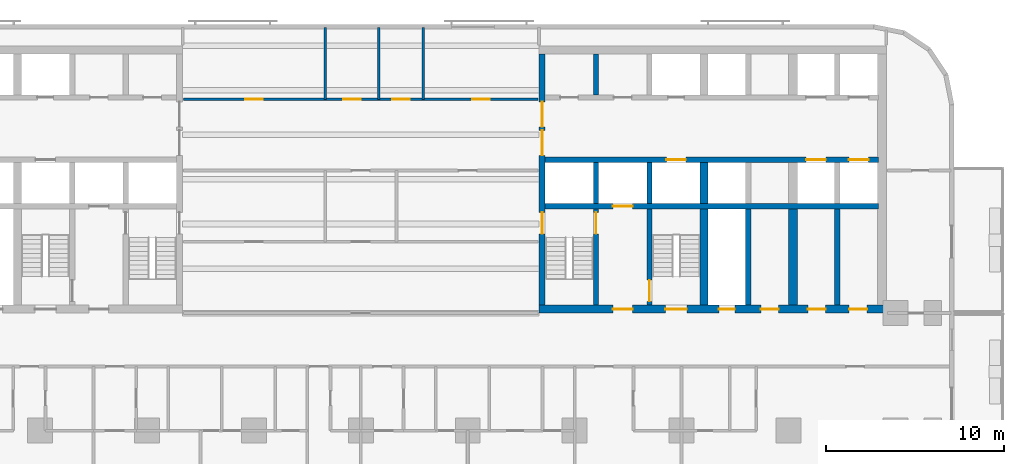
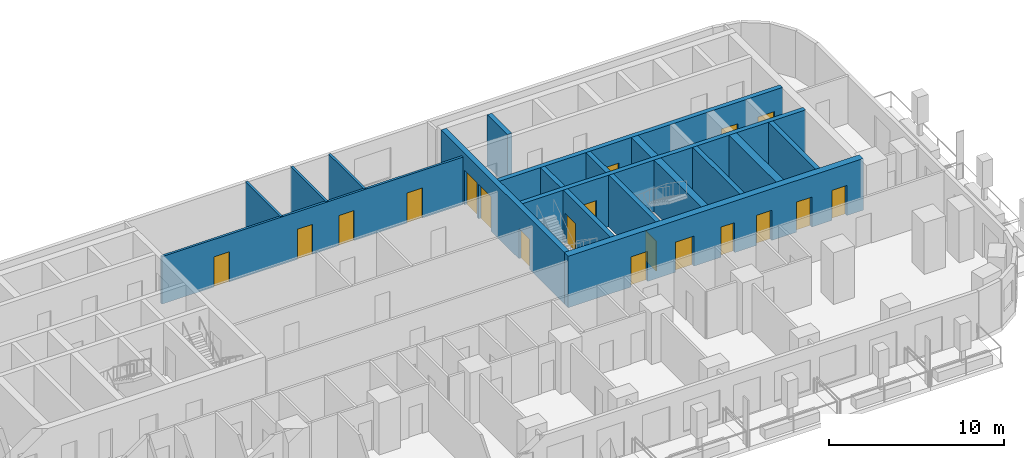
# One storey, part 7 of 14: 19 doors, 18 walls, 19 openings.
"""IFC4 building model written with IfcOpenShell, lengths in metres."""

from ifc_helpers import new_model, si_unit, direction, frame, frame_2d, origin, place, context, subcontext, project, spatial, rectangle, extrude, material, layer, layer_set, type_object, element, fill, save


model = new_model("IFC4")

# Units and contexts
model_context = context("Model", 3, precision=1e-05, world=origin(), true_north=direction((0.0, 1.0)))
body_context = subcontext(model_context, "Body", "Model", "MODEL_VIEW")
ifc_project = project(units=[si_unit("LENGTHUNIT", "METRE"), si_unit("AREAUNIT", "SQUARE_METRE"), si_unit("VOLUMEUNIT", "CUBIC_METRE"), si_unit("PLANEANGLEUNIT", "RADIAN"), si_unit("MASSUNIT", "GRAM", prefix="KILO")], contexts=[model_context])

# Site, building, storey
site_placement = place(None, origin())
site = spatial("IfcSite", under=ifc_project, at=site_placement, CompositionType="ELEMENT")
building_placement = place(site_placement, origin())
building = spatial("IfcBuilding", under=site, at=building_placement, Name="Torana Hotel and Residences", CompositionType="ELEMENT")
storey_placement = place(building_placement, frame((0.0, 0.0, 103.199951171875)))
storey = spatial("IfcBuildingStorey", under=building, at=storey_placement, Name="L26", CompositionType="ELEMENT", Elevation=103.199951171875)

# Wall, openings, doors
ifc_material_1 = material(Name="Concrete C80/95", Category="concrete")
ifc_layer_1 = layer(ifc_material_1, 0.300048828125)
ifc_layer_set_1 = layer_set([ifc_layer_1], Name="CORE WALL 300 C80/95")
wall_type_1 = type_object("IfcWallType", Name="CORE WALL 300 C80/95", PredefinedType="SHEAR", material=ifc_layer_set_1)
wall_1_placement = place(storey_placement, frame((10.35009765625, -6.39990234375, 0.0), z_axis=(0.0, 0.0, 1.0), x_axis=(1.0, 0.0, 0.0)))
wall_1 = element("IfcWall", 1, at=wall_1_placement, inside=storey, type_object=wall_type_1, Name="Core wall E row-S", PredefinedType="SHEAR", context=body_context, shape_type="SweptSolid", body=[
    extrude(rectangle(XDim=18.699951171875, YDim=0.300048828125, at=frame_2d((9.35009765625, 0.0))), origin(), (0.0, 0.0, 1.0), 3.60009765625),
])
opening_1_placement = place(wall_1_placement, frame((14.64990234375, 0.0, 0.0)))
opening_1 = element("IfcOpeningElement", 2, at=opening_1_placement, cuts=wall_1, Name="Opening LD", PredefinedType="OPENING", context=body_context, shape_type="SweptSolid", body=[
    extrude(rectangle(XDim=1.10009765625, YDim=2.10009765625, at=frame_2d((0.550048828125, 1.050048828125))), frame((0.0, 0.159912109375, 0.0), z_axis=(0.0, -1.0, 0.0), x_axis=(1.0, 0.0, 0.0)), (0.0, 0.0, 1.0), 0.320068359375),
])
opening_2_placement = place(wall_1_placement, frame((17.050048828125, 0.0, 0.0)))
opening_2 = element("IfcOpeningElement", 3, at=opening_2_placement, cuts=wall_1, Name="Opening LD", PredefinedType="OPENING", context=body_context, shape_type="SweptSolid", body=[
    extrude(rectangle(XDim=1.10009765625, YDim=2.10009765625, at=frame_2d((0.550048828125, 1.050048828125))), frame((0.0, 0.159912109375, 0.0), z_axis=(0.0, -1.0, 0.0), x_axis=(1.0, 0.0, 0.0)), (0.0, 0.0, 1.0), 0.320068359375),
])
opening_3_placement = place(wall_1_placement, frame((6.800048828125, 0.0, 0.0)))
opening_3 = element("IfcOpeningElement", 4, at=opening_3_placement, cuts=wall_1, Name="Opening LD", PredefinedType="OPENING", context=body_context, shape_type="SweptSolid", body=[
    extrude(rectangle(XDim=1.10009765625, YDim=2.10009765625, at=frame_2d((0.550048828125, 1.050048828125))), frame((0.0, 0.159912109375, 0.0), z_axis=(0.0, -1.0, 0.0), x_axis=(1.0, 0.0, 0.0)), (0.0, 0.0, 1.0), 0.320068359375),
])
ifc_material_2 = material(Name="Stainless steel 316", Category="steel")
door_type_1 = type_object("IfcDoorType", Name="LIFT LANDING DOOR LD 1100x2100", OperationType="DOUBLE_DOOR_SLIDING", PredefinedType="USERDEFINED", material=ifc_material_2)
door_1_placement = place(opening_1_placement, origin())
door_1 = element("IfcDoor", 5, at=door_1_placement, inside=storey, type_object=door_type_1, Name="Lift landing door L7 L26", ObjectType="LIFT LANDING DOOR", OperationType="DOUBLE_DOOR_SLIDING", OverallHeight=2.10009765625, OverallWidth=1.10009765625, PredefinedType="USERDEFINED", context=body_context, shape_type="SweptSolid", body=[
    extrude(rectangle(XDim=1.10009765625, YDim=2.10009765625, at=frame_2d((0.550048828125, 1.050048828125))), frame((0.0, 0.02490234375, 0.0), z_axis=(0.0, -1.0, 0.0), x_axis=(1.0, 0.0, 0.0)), (0.0, 0.0, 1.0), 0.050048828125),
])
fill(opening_1, door_1)
door_2_placement = place(opening_2_placement, origin())
door_2 = element("IfcDoor", 6, at=door_2_placement, inside=storey, type_object=door_type_1, Name="Lift landing door L8 L26", ObjectType="LIFT LANDING DOOR", OperationType="DOUBLE_DOOR_SLIDING", OverallHeight=2.10009765625, OverallWidth=1.10009765625, PredefinedType="USERDEFINED", context=body_context, shape_type="SweptSolid", body=[
    extrude(rectangle(XDim=1.10009765625, YDim=2.10009765625, at=frame_2d((0.550048828125, 1.050048828125))), frame((0.0, 0.02490234375, 0.0), z_axis=(0.0, -1.0, 0.0), x_axis=(1.0, 0.0, 0.0)), (0.0, 0.0, 1.0), 0.050048828125),
])
fill(opening_2, door_2)
door_3_placement = place(opening_3_placement, origin())
door_3 = element("IfcDoor", 7, at=door_3_placement, inside=storey, type_object=door_type_1, Name="Lift landing door SV2 L26", ObjectType="LIFT LANDING DOOR", OperationType="DOUBLE_DOOR_SLIDING", OverallHeight=2.10009765625, OverallWidth=1.10009765625, PredefinedType="USERDEFINED", context=body_context, shape_type="SweptSolid", body=[
    extrude(rectangle(XDim=1.10009765625, YDim=2.10009765625, at=frame_2d((0.550048828125, 1.050048828125))), frame((0.0, 0.02490234375, 0.0), z_axis=(0.0, -1.0, 0.0), x_axis=(1.0, 0.0, 0.0)), (0.0, 0.0, 1.0), 0.050048828125),
])
fill(opening_3, door_3)

# Wall, opening, door
wall_2_placement = place(storey_placement, frame((10.35009765625, -9.0, 0.0), z_axis=(0.0, 0.0, 1.0), x_axis=(1.0, 0.0, 0.0)))
wall_2 = element("IfcWall", 8, at=wall_2_placement, inside=storey, type_object=wall_type_1, Name="Core wall E band", PredefinedType="SHEAR", context=body_context, shape_type="SweptSolid", body=[
    extrude(rectangle(XDim=18.699951171875, YDim=0.300048828125, at=frame_2d((9.35009765625, 0.0))), origin(), (0.0, 0.0, 1.0), 3.60009765625),
])
opening_4_placement = place(wall_2_placement, frame((3.800048828125, 0.0, 0.0)))
opening_4 = element("IfcOpeningElement", 9, at=opening_4_placement, cuts=wall_2, Name="Opening LD", PredefinedType="OPENING", context=body_context, shape_type="SweptSolid", body=[
    extrude(rectangle(XDim=1.10009765625, YDim=2.10009765625, at=frame_2d((0.550048828125, 1.050048828125))), frame((0.0, 0.159912109375, 0.0), z_axis=(0.0, -1.0, 0.0), x_axis=(1.0, 0.0, 0.0)), (0.0, 0.0, 1.0), 0.320068359375),
])
door_4_placement = place(opening_4_placement, origin())
door_4 = element("IfcDoor", 10, at=door_4_placement, inside=storey, type_object=door_type_1, Name="Lift landing door FF2 L26", ObjectType="LIFT LANDING DOOR", OperationType="DOUBLE_DOOR_SLIDING", OverallHeight=2.10009765625, OverallWidth=1.10009765625, PredefinedType="USERDEFINED", context=body_context, shape_type="SweptSolid", body=[
    extrude(rectangle(XDim=1.10009765625, YDim=2.10009765625, at=frame_2d((0.550048828125, 1.050048828125))), frame((0.0, 0.02490234375, 0.0), z_axis=(0.0, -1.0, 0.0), x_axis=(1.0, 0.0, 0.0)), (0.0, 0.0, 1.0), 0.050048828125),
])
fill(opening_4, door_4)

# Walls
for number, where, z_axis, x_axis, name in (
    (11, (13.199951171875, -2.75, 0.0), (0.0, 0.0, 1.0), (0.0, 1.0, 0.0), "Core wall E x3.05-N"),
    (12, (13.199951171875, -8.85009765625, 0.0), (0.0, 0.0, 1.0), (0.0, 1.0, 0.0), "Core wall E x3.05-S"),
):
    element("IfcWall", number, at=place(storey_placement, frame(where, z_axis=z_axis, x_axis=x_axis)), inside=storey, type_object=wall_type_1, Name=name, PredefinedType="SHEAR", context=body_context, shape_type="SweptSolid", body=[
        extrude(rectangle(XDim=2.300048828125, YDim=0.300048828125, at=frame_2d((1.14990234375, 0.0))), origin(), (0.0, 0.0, 1.0), 3.60009765625),
    ])

# Wall, opening, door
wall_3_placement = place(storey_placement, frame((13.199951171875, -14.550048828125, 0.0), z_axis=(0.0, 0.0, 1.0), x_axis=(0.0, 1.0, 0.0)))
wall_3 = element("IfcWall", 13, at=wall_3_placement, inside=storey, type_object=wall_type_1, Name="Core wall E x3.05-band", PredefinedType="SHEAR", context=body_context, shape_type="SweptSolid", body=[
    extrude(rectangle(XDim=5.400146484375, YDim=0.300048828125, at=frame_2d((2.7001953125, 0.0))), origin(), (0.0, 0.0, 1.0), 3.60009765625),
])
opening_5_placement = place(wall_3_placement, frame((4.0, 0.0, 0.0)))
opening_5 = element("IfcOpeningElement", 14, at=opening_5_placement, cuts=wall_3, Name="Opening L26-27", PredefinedType="OPENING", context=body_context, shape_type="SweptSolid", body=[
    extrude(rectangle(XDim=1.199951171875, YDim=2.10009765625, at=frame_2d((0.60009765625, 1.050048828125))), frame((0.0, 0.159912109375, 0.0), z_axis=(0.0, -1.0, 0.0), x_axis=(1.0, 0.0, 0.0)), (0.0, 0.0, 1.0), 0.320068359375),
])
ifc_material_3 = material(Name="Steel S235", Category="steel")
door_type_2 = type_object("IfcDoorType", Name="STAIR FIRE DOOR D3 1200x2100", OperationType="SINGLE_SWING_LEFT", PredefinedType="DOOR", material=ifc_material_3)
door_5_placement = place(opening_5_placement, origin())
door_5 = element("IfcDoor", 15, at=door_5_placement, inside=storey, type_object=door_type_2, Name="Stair-A-lobby door L26", OperationType="SINGLE_SWING_LEFT", OverallHeight=2.10009765625, OverallWidth=1.199951171875, PredefinedType="DOOR", context=body_context, shape_type="SweptSolid", body=[
    extrude(rectangle(XDim=1.199951171875, YDim=2.10009765625, at=frame_2d((0.60009765625, 1.050048828125))), frame((0.0, 0.02490234375, 0.0), z_axis=(0.0, -1.0, 0.0), x_axis=(1.0, 0.0, 0.0)), (0.0, 0.0, 1.0), 0.050048828125),
])
fill(opening_5, door_5)

# Wall
wall_4_placement = place(storey_placement, frame((16.199951171875, -8.85009765625, 0.0), z_axis=(0.0, 0.0, 1.0), x_axis=(0.0, 1.0, 0.0)))
element("IfcWall", 16, at=wall_4_placement, inside=storey, type_object=wall_type_1, Name="Core wall E x6.05-S", PredefinedType="SHEAR", context=body_context, shape_type="SweptSolid", body=[
    extrude(rectangle(XDim=2.300048828125, YDim=0.300048828125, at=frame_2d((1.14990234375, 0.0))), origin(), (0.0, 0.0, 1.0), 3.60009765625),
])

# Wall, opening, door
wall_5_placement = place(storey_placement, frame((16.199951171875, -14.550048828125, 0.0), z_axis=(0.0, 0.0, 1.0), x_axis=(0.0, 1.0, 0.0)))
wall_5 = element("IfcWall", 17, at=wall_5_placement, inside=storey, type_object=wall_type_1, Name="Core wall E x6.05-band", PredefinedType="SHEAR", context=body_context, shape_type="SweptSolid", body=[
    extrude(rectangle(XDim=5.400146484375, YDim=0.300048828125, at=frame_2d((2.7001953125, 0.0))), origin(), (0.0, 0.0, 1.0), 3.60009765625),
])
opening_6_placement = place(wall_5_placement, frame((0.199951171875, 0.0, 0.0)))
opening_6 = element("IfcOpeningElement", 18, at=opening_6_placement, cuts=wall_5, Name="Opening L26-28", PredefinedType="OPENING", context=body_context, shape_type="SweptSolid", body=[
    extrude(rectangle(XDim=1.199951171875, YDim=2.10009765625, at=frame_2d((0.60009765625, 1.050048828125))), frame((0.0, 0.159912109375, 0.0), z_axis=(0.0, -1.0, 0.0), x_axis=(1.0, 0.0, 0.0)), (0.0, 0.0, 1.0), 0.320068359375),
])
door_6_placement = place(opening_6_placement, frame((0.60009765625, 0.0, 0.0), z_axis=(0.0, 0.0, 1.0), x_axis=(-1.0, 0.0, 0.0)))
door_6 = element("IfcDoor", 19, at=door_6_placement, inside=storey, type_object=door_type_2, Name="Stair-B-lobby door L26", OperationType="SINGLE_SWING_LEFT", OverallHeight=2.10009765625, OverallWidth=1.199951171875, PredefinedType="DOOR", context=body_context, shape_type="SweptSolid", body=[
    extrude(rectangle(XDim=1.199951171875, YDim=2.10009765625, at=frame_2d((0.0, 1.050048828125))), frame((0.0, -0.02490234375, 0.0), z_axis=(0.0, 1.0, 0.0), x_axis=(-1.0, 0.0, 0.0)), (0.0, 0.0, 1.0), 0.050048828125),
])
fill(opening_6, door_6)

# Walls
for number, where, z_axis, x_axis, name in (
    (20, (21.75, -14.550048828125, 0.0), (0.0, 0.0, 1.0), (0.0, 1.0, 0.0), "Core wall E mm-band"),
    (21, (26.75, -14.550048828125, 0.0), (0.0, 0.0, 1.0), (0.0, 1.0, 0.0), "Core wall E ll-band"),
):
    element("IfcWall", number, at=place(storey_placement, frame(where, z_axis=z_axis, x_axis=x_axis)), inside=storey, type_object=wall_type_1, Name=name, PredefinedType="SHEAR", context=body_context, shape_type="SweptSolid", body=[
        extrude(rectangle(XDim=5.400146484375, YDim=0.300048828125, at=frame_2d((2.7001953125, 0.0))), origin(), (0.0, 0.0, 1.0), 3.60009765625),
    ])

# Wall, openings, doors
ifc_material_4 = material(Name="Concrete C80/95", Category="concrete")
ifc_layer_2 = layer(ifc_material_4, 0.35009765625)
ifc_layer_set_2 = layer_set([ifc_layer_2], Name="CORE WALL 350 C80/95")
wall_type_2 = type_object("IfcWallType", Name="CORE WALL 350 C80/95", PredefinedType="SHEAR", material=ifc_layer_set_2)
wall_6_placement = place(storey_placement, frame((10.175048828125, -14.550048828125, 0.0), z_axis=(0.0, 0.0, 1.0), x_axis=(0.0, 1.0, 0.0)))
wall_6 = element("IfcWall", 22, at=wall_6_placement, inside=storey, type_object=wall_type_2, Name="Core wall E arch", PredefinedType="SHEAR", context=body_context, shape_type="SweptSolid", body=[
    extrude(rectangle(XDim=14.10009765625, YDim=0.35009765625, at=frame_2d((7.050048828125, 0.0))), origin(), (0.0, 0.0, 1.0), 3.60009765625),
])
opening_7_placement = place(wall_6_placement, frame((8.39990234375, 0.0, 0.0)))
opening_7 = element("IfcOpeningElement", 23, at=opening_7_placement, cuts=wall_6, Name="Opening L26-15", PredefinedType="OPENING", context=body_context, shape_type="SweptSolid", body=[
    extrude(rectangle(XDim=1.39990234375, YDim=2.39990234375, at=frame_2d((0.699951171875, 1.199951171875))), frame((0.0, 0.18505859375, 0.0), z_axis=(0.0, -1.0, 0.0), x_axis=(1.0, 0.0, 0.0)), (0.0, 0.0, 1.0), 0.3701171875),
])
opening_8_placement = place(wall_6_placement, frame((10.0, 0.0, 0.0)))
opening_8 = element("IfcOpeningElement", 24, at=opening_8_placement, cuts=wall_6, Name="Opening L26-16", PredefinedType="OPENING", context=body_context, shape_type="SweptSolid", body=[
    extrude(rectangle(XDim=1.39990234375, YDim=2.39990234375, at=frame_2d((0.699951171875, 1.199951171875))), frame((0.0, 0.18505859375, 0.0), z_axis=(0.0, -1.0, 0.0), x_axis=(1.0, 0.0, 0.0)), (0.0, 0.0, 1.0), 0.3701171875),
])
opening_9_placement = place(wall_6_placement, frame((4.0, 0.0, 0.0)))
opening_9 = element("IfcOpeningElement", 25, at=opening_9_placement, cuts=wall_6, Name="Opening L26-17", PredefinedType="OPENING", context=body_context, shape_type="SweptSolid", body=[
    extrude(rectangle(XDim=1.199951171875, YDim=2.10009765625, at=frame_2d((0.60009765625, 1.050048828125))), frame((0.0, 0.18505859375, 0.0), z_axis=(0.0, -1.0, 0.0), x_axis=(1.0, 0.0, 0.0)), (0.0, 0.0, 1.0), 0.3701171875),
])
ifc_material_5 = material(Name="Steel S235", Category="steel")
door_type_3 = type_object("IfcDoorType", Name="LOBBY FIRE DOOR D4 1400x2400", OperationType="DOUBLE_DOOR_SINGLE_SWING", PredefinedType="DOOR", material=ifc_material_5)
door_7_placement = place(opening_7_placement, origin())
door_7 = element("IfcDoor", 26, at=door_7_placement, inside=storey, type_object=door_type_3, Name="Lobby-1 door L26", OperationType="DOUBLE_DOOR_SINGLE_SWING", OverallHeight=2.39990234375, OverallWidth=1.39990234375, PredefinedType="DOOR", context=body_context, shape_type="SweptSolid", body=[
    extrude(rectangle(XDim=1.39990234375, YDim=2.39990234375, at=frame_2d((0.699951171875, 1.199951171875))), frame((0.0, 0.02490234375, 0.0), z_axis=(0.0, -1.0, 0.0), x_axis=(1.0, 0.0, 0.0)), (0.0, 0.0, 1.0), 0.050048828125),
])
fill(opening_7, door_7)
door_8_placement = place(opening_8_placement, origin())
door_8 = element("IfcDoor", 27, at=door_8_placement, inside=storey, type_object=door_type_3, Name="Lobby-2 door L26", OperationType="DOUBLE_DOOR_SINGLE_SWING", OverallHeight=2.39990234375, OverallWidth=1.39990234375, PredefinedType="DOOR", context=body_context, shape_type="SweptSolid", body=[
    extrude(rectangle(XDim=1.39990234375, YDim=2.39990234375, at=frame_2d((0.699951171875, 1.199951171875))), frame((0.0, 0.02490234375, 0.0), z_axis=(0.0, -1.0, 0.0), x_axis=(1.0, 0.0, 0.0)), (0.0, 0.0, 1.0), 0.050048828125),
])
fill(opening_8, door_8)
door_9_placement = place(opening_9_placement, frame((0.60009765625, 0.0, 0.0), z_axis=(0.0, 0.0, 1.0), x_axis=(-1.0, 0.0, 0.0)))
door_9 = element("IfcDoor", 28, at=door_9_placement, inside=storey, type_object=door_type_2, Name="Stair-A door L26", OperationType="SINGLE_SWING_RIGHT", OverallHeight=2.10009765625, OverallWidth=1.199951171875, PredefinedType="DOOR", context=body_context, shape_type="SweptSolid", body=[
    extrude(rectangle(XDim=1.199951171875, YDim=2.10009765625, at=frame_2d((0.0, 1.050048828125))), frame((0.0, -0.02490234375, 0.0), z_axis=(0.0, 1.0, 0.0), x_axis=(-1.0, 0.0, 0.0)), (0.0, 0.0, 1.0), 0.050048828125),
])
fill(opening_9, door_9)

ifc_material_6 = material(Name="Concrete C80/95", Category="concrete")
ifc_layer_3 = layer(ifc_material_6, 0.449951171875)
ifc_layer_set_3 = layer_set([ifc_layer_3], Name="CORE WALL 450 C80/95")
wall_type_3 = type_object("IfcWallType", Name="CORE WALL 450 C80/95", PredefinedType="SHEAR", material=ifc_layer_set_3)
wall_7_placement = place(storey_placement, frame((10.0, -14.77490234375, 0.0), z_axis=(0.0, 0.0, 1.0), x_axis=(1.0, 0.0, 0.0)))
wall_7 = element("IfcWall", 29, at=wall_7_placement, inside=storey, type_object=wall_type_3, Name="Core wall E front", PredefinedType="SHEAR", context=body_context, shape_type="SweptSolid", body=[
    extrude(rectangle(XDim=19.5, YDim=0.449951171875, at=frame_2d((9.75, 0.0))), origin(), (0.0, 0.0, 1.0), 3.60009765625),
])
opening_10_placement = place(wall_7_placement, frame((7.10009765625, 0.0, 0.0)))
opening_10 = element("IfcOpeningElement", 30, at=opening_10_placement, cuts=wall_7, Name="Opening L26-18", PredefinedType="OPENING", context=body_context, shape_type="SweptSolid", body=[
    extrude(rectangle(XDim=1.199951171875, YDim=2.10009765625, at=frame_2d((0.60009765625, 1.050048828125))), frame((0.0, 0.23486328125, 0.0), z_axis=(0.0, -1.0, 0.0), x_axis=(1.0, 0.0, 0.0)), (0.0, 0.0, 1.0), 0.469970703125),
])
opening_11_placement = place(wall_7_placement, frame((4.14990234375, 0.0, 0.0)))
opening_11 = element("IfcOpeningElement", 31, at=opening_11_placement, cuts=wall_7, Name="Opening L26-19", PredefinedType="OPENING", context=body_context, shape_type="SweptSolid", body=[
    extrude(rectangle(XDim=1.10009765625, YDim=2.10009765625, at=frame_2d((0.550048828125, 1.050048828125))), frame((0.0, 0.23486328125, 0.0), z_axis=(0.0, -1.0, 0.0), x_axis=(1.0, 0.0, 0.0)), (0.0, 0.0, 1.0), 0.469970703125),
])
opening_12_placement = place(wall_7_placement, frame((10.10009765625, 0.0, 0.0)))
opening_12 = element("IfcOpeningElement", 32, at=opening_12_placement, cuts=wall_7, Name="Opening L26-20", PredefinedType="OPENING", context=body_context, shape_type="SweptSolid", body=[
    extrude(rectangle(XDim=0.89990234375, YDim=2.10009765625, at=frame_2d((0.449951171875, 1.050048828125))), frame((0.0, 0.23486328125, 0.0), z_axis=(0.0, -1.0, 0.0), x_axis=(1.0, 0.0, 0.0)), (0.0, 0.0, 1.0), 0.469970703125),
])
opening_13_placement = place(wall_7_placement, frame((12.449951171875, 0.0, 0.0)))
opening_13 = element("IfcOpeningElement", 33, at=opening_13_placement, cuts=wall_7, Name="Opening L26-21", PredefinedType="OPENING", context=body_context, shape_type="SweptSolid", body=[
    extrude(rectangle(XDim=1.0, YDim=2.10009765625, at=frame_2d((0.5, 1.050048828125))), frame((0.0, 0.23486328125, 0.0), z_axis=(0.0, -1.0, 0.0), x_axis=(1.0, 0.0, 0.0)), (0.0, 0.0, 1.0), 0.469970703125),
])
opening_14_placement = place(wall_7_placement, frame((15.08740234375, 0.0, 0.0)))
opening_14 = element("IfcOpeningElement", 34, at=opening_14_placement, cuts=wall_7, Name="Opening L26-22", PredefinedType="OPENING", context=body_context, shape_type="SweptSolid", body=[
    extrude(rectangle(XDim=1.0, YDim=2.10009765625, at=frame_2d((0.5, 1.050048828125))), frame((0.0, 0.23486328125, 0.0), z_axis=(0.0, -1.0, 0.0), x_axis=(1.0, 0.0, 0.0)), (0.0, 0.0, 1.0), 0.469970703125),
])
opening_15_placement = place(wall_7_placement, frame((17.41259765625, 0.0, 0.0)))
opening_15 = element("IfcOpeningElement", 35, at=opening_15_placement, cuts=wall_7, Name="Opening L26-23", PredefinedType="OPENING", context=body_context, shape_type="SweptSolid", body=[
    extrude(rectangle(XDim=1.0, YDim=2.10009765625, at=frame_2d((0.5, 1.050048828125))), frame((0.0, 0.23486328125, 0.0), z_axis=(0.0, -1.0, 0.0), x_axis=(1.0, 0.0, 0.0)), (0.0, 0.0, 1.0), 0.469970703125),
])
ifc_material_7 = material(Name="Steel S235", Category="steel")
door_type_4 = type_object("IfcDoorType", Name="CORE ROOM FIRE DOOR D14 1000x2100", OperationType="SINGLE_SWING_LEFT", PredefinedType="DOOR", material=ifc_material_7)
door_10_placement = place(opening_13_placement, origin())
door_10 = element("IfcDoor", 36, at=door_10_placement, inside=storey, type_object=door_type_4, Name="M-Room door L26", OperationType="SINGLE_SWING_RIGHT", OverallHeight=2.10009765625, OverallWidth=1.0, PredefinedType="DOOR", context=body_context, shape_type="SweptSolid", body=[
    extrude(rectangle(XDim=1.0, YDim=2.10009765625, at=frame_2d((0.5, 1.050048828125))), frame((0.0, 0.02490234375, 0.0), z_axis=(0.0, -1.0, 0.0), x_axis=(1.0, 0.0, 0.0)), (0.0, 0.0, 1.0), 0.050048828125),
])
fill(opening_13, door_10)
door_11_placement = place(opening_14_placement, origin())
door_11 = element("IfcDoor", 37, at=door_11_placement, inside=storey, type_object=door_type_4, Name="L-A door L26", OperationType="SINGLE_SWING_RIGHT", OverallHeight=2.10009765625, OverallWidth=1.0, PredefinedType="DOOR", context=body_context, shape_type="SweptSolid", body=[
    extrude(rectangle(XDim=1.0, YDim=2.10009765625, at=frame_2d((0.5, 1.050048828125))), frame((0.0, 0.02490234375, 0.0), z_axis=(0.0, -1.0, 0.0), x_axis=(1.0, 0.0, 0.0)), (0.0, 0.0, 1.0), 0.050048828125),
])
fill(opening_14, door_11)
door_12_placement = place(opening_15_placement, origin())
door_12 = element("IfcDoor", 38, at=door_12_placement, inside=storey, type_object=door_type_4, Name="L-B door L26", OperationType="SINGLE_SWING_RIGHT", OverallHeight=2.10009765625, OverallWidth=1.0, PredefinedType="DOOR", context=body_context, shape_type="SweptSolid", body=[
    extrude(rectangle(XDim=1.0, YDim=2.10009765625, at=frame_2d((0.5, 1.050048828125))), frame((0.0, 0.02490234375, 0.0), z_axis=(0.0, -1.0, 0.0), x_axis=(1.0, 0.0, 0.0)), (0.0, 0.0, 1.0), 0.050048828125),
])
fill(opening_15, door_12)
ifc_material_8 = material(Name="Steel S235", Category="steel")
door_type_5 = type_object("IfcDoorType", Name="FIRE-FIGHTING LOBBY DOOR D8 1100x2100", OperationType="SINGLE_SWING_LEFT", PredefinedType="DOOR", material=ifc_material_8)
door_13_placement = place(opening_11_placement, origin())
door_13 = element("IfcDoor", 39, at=door_13_placement, inside=storey, type_object=door_type_5, Name="FF-lobby door L26", OperationType="SINGLE_SWING_RIGHT", OverallHeight=2.10009765625, OverallWidth=1.10009765625, PredefinedType="DOOR", context=body_context, shape_type="SweptSolid", body=[
    extrude(rectangle(XDim=1.10009765625, YDim=2.10009765625, at=frame_2d((0.550048828125, 1.050048828125))), frame((0.0, 0.02490234375, 0.0), z_axis=(0.0, -1.0, 0.0), x_axis=(1.0, 0.0, 0.0)), (0.0, 0.0, 1.0), 0.050048828125),
])
fill(opening_11, door_13)
ifc_material_9 = material(Name="Steel S235", Category="steel")
door_type_6 = type_object("IfcDoorType", Name="RISER ACCESS DOOR D5 900x2100", OperationType="SINGLE_SWING_LEFT", PredefinedType="DOOR", material=ifc_material_9)
door_14_placement = place(opening_12_placement, origin())
door_14 = element("IfcDoor", 40, at=door_14_placement, inside=storey, type_object=door_type_6, Name="M-Riser door L26", OperationType="SINGLE_SWING_RIGHT", OverallHeight=2.10009765625, OverallWidth=0.89990234375, PredefinedType="DOOR", context=body_context, shape_type="SweptSolid", body=[
    extrude(rectangle(XDim=0.89990234375, YDim=2.10009765625, at=frame_2d((0.449951171875, 1.050048828125))), frame((0.0, 0.02490234375, 0.0), z_axis=(0.0, -1.0, 0.0), x_axis=(1.0, 0.0, 0.0)), (0.0, 0.0, 1.0), 0.050048828125),
])
fill(opening_12, door_14)
door_15_placement = place(opening_10_placement, origin())
door_15 = element("IfcDoor", 41, at=door_15_placement, inside=storey, type_object=door_type_2, Name="Stair-B door L26", OperationType="SINGLE_SWING_RIGHT", OverallHeight=2.10009765625, OverallWidth=1.199951171875, PredefinedType="DOOR", context=body_context, shape_type="SweptSolid", body=[
    extrude(rectangle(XDim=1.199951171875, YDim=2.10009765625, at=frame_2d((0.60009765625, 1.050048828125))), frame((0.0, 0.02490234375, 0.0), z_axis=(0.0, -1.0, 0.0), x_axis=(1.0, 0.0, 0.0)), (0.0, 0.0, 1.0), 0.050048828125),
])
fill(opening_10, door_15)

# Walls
wall_8_placement = place(storey_placement, frame((19.27490234375, -8.85009765625, 0.0), z_axis=(0.0, 0.0, 1.0), x_axis=(0.0, 1.0, 0.0)))
element("IfcWall", 42, at=wall_8_placement, inside=storey, type_object=wall_type_3, Name="Core wall E hm-S", PredefinedType="SHEAR", context=body_context, shape_type="SweptSolid", body=[
    extrude(rectangle(XDim=2.300048828125, YDim=0.449951171875, at=frame_2d((1.14990234375, 0.0))), origin(), (0.0, 0.0, 1.0), 3.60009765625),
])
wall_9_placement = place(storey_placement, frame((19.27490234375, -14.550048828125, 0.0), z_axis=(0.0, 0.0, 1.0), x_axis=(0.0, 1.0, 0.0)))
element("IfcWall", 43, at=wall_9_placement, inside=storey, type_object=wall_type_3, Name="Core wall E hm-band", PredefinedType="SHEAR", context=body_context, shape_type="SweptSolid", body=[
    extrude(rectangle(XDim=5.400146484375, YDim=0.449951171875, at=frame_2d((2.7001953125, 0.0))), origin(), (0.0, 0.0, 1.0), 3.60009765625),
])
ifc_material_10 = material(Name="Concrete C80/95", Category="concrete")
ifc_layer_4 = layer(ifc_material_10, 0.5)
ifc_layer_set_4 = layer_set([ifc_layer_4], Name="CORE WALL 500 C80/95")
wall_type_4 = type_object("IfcWallType", Name="CORE WALL 500 C80/95", PredefinedType="SHEAR", material=ifc_layer_set_4)
wall_10_placement = place(storey_placement, frame((24.25, -14.550048828125, 0.0), z_axis=(0.0, 0.0, 1.0), x_axis=(0.0, 1.0, 0.0)))
element("IfcWall", 44, at=wall_10_placement, inside=storey, type_object=wall_type_4, Name="Core wall E ml-band", PredefinedType="SHEAR", context=body_context, shape_type="SweptSolid", body=[
    extrude(rectangle(XDim=5.400146484375, YDim=0.5, at=frame_2d((2.7001953125, 0.0))), origin(), (0.0, 0.0, 1.0), 3.60009765625),
])

# Wall, openings, doors
ifc_material_11 = material(Name="Gypsum plaster")
ifc_layer_5 = layer(ifc_material_11, 0.014892578125, Name="Plaster", Category="finish")
ifc_material_12 = material(Name="Concrete blockwork", Category="masonry")
ifc_layer_6 = layer(ifc_material_12, 0.1201171875, Name="Blockwork", Category="structure")
ifc_layer_7 = layer(ifc_material_11, 0.014892578125, Name="Plaster", Category="finish")
ifc_layer_set_5 = layer_set([ifc_layer_5, ifc_layer_6, ifc_layer_7], Name="FIRE PARTITION 150 BLOCKWORK")
wall_type_5 = type_object("IfcWallType", Name="FIRE PARTITION 150 BLOCKWORK", PredefinedType="PARTITIONING", material=ifc_layer_set_5)
wall_11_placement = place(storey_placement, frame((-9.949951171875, -3.0, 0.0), z_axis=(0.0, 0.0, 1.0), x_axis=(1.0, 0.0, 0.0)))
wall_11 = element("IfcWall", 45, at=wall_11_placement, inside=storey, type_object=wall_type_5, Name="Partition L26", PredefinedType="PARTITIONING", context=body_context, shape_type="SweptSolid", body=[
    extrude(rectangle(XDim=19.89990234375, YDim=0.14990234375, at=frame_2d((9.949951171875, 0.0))), origin(), (0.0, 0.0, 1.0), 3.320068359375),
])
opening_16_placement = place(wall_11_placement, frame((3.449951171875, 0.0, 0.0)))
opening_16 = element("IfcOpeningElement", 46, at=opening_16_placement, cuts=wall_11, Name="Opening L26-43", PredefinedType="OPENING", context=body_context, shape_type="SweptSolid", body=[
    extrude(rectangle(XDim=1.0, YDim=2.10009765625, at=frame_2d((0.5, 1.050048828125))), frame((0.0, 0.0849609375, 0.0), z_axis=(0.0, -1.0, 0.0), x_axis=(1.0, 0.0, 0.0)), (0.0, 0.0, 1.0), 0.169921875),
])
opening_17_placement = place(wall_11_placement, frame((8.949951171875, 0.0, 0.0)))
opening_17 = element("IfcOpeningElement", 47, at=opening_17_placement, cuts=wall_11, Name="Opening L26-44", PredefinedType="OPENING", context=body_context, shape_type="SweptSolid", body=[
    extrude(rectangle(XDim=1.0, YDim=2.10009765625, at=frame_2d((0.5, 1.050048828125))), frame((0.0, 0.0849609375, 0.0), z_axis=(0.0, -1.0, 0.0), x_axis=(1.0, 0.0, 0.0)), (0.0, 0.0, 1.0), 0.169921875),
])
opening_18_placement = place(wall_11_placement, frame((11.699951171875, 0.0, 0.0)))
opening_18 = element("IfcOpeningElement", 48, at=opening_18_placement, cuts=wall_11, Name="Opening L26-45", PredefinedType="OPENING", context=body_context, shape_type="SweptSolid", body=[
    extrude(rectangle(XDim=1.0, YDim=2.10009765625, at=frame_2d((0.5, 1.050048828125))), frame((0.0, 0.0849609375, 0.0), z_axis=(0.0, -1.0, 0.0), x_axis=(1.0, 0.0, 0.0)), (0.0, 0.0, 1.0), 0.169921875),
])
opening_19_placement = place(wall_11_placement, frame((16.199951171875, 0.0, 0.0)))
opening_19 = element("IfcOpeningElement", 49, at=opening_19_placement, cuts=wall_11, Name="Opening L26-46", PredefinedType="OPENING", context=body_context, shape_type="SweptSolid", body=[
    extrude(rectangle(XDim=1.0, YDim=2.10009765625, at=frame_2d((0.5, 1.050048828125))), frame((0.0, 0.0849609375, 0.0), z_axis=(0.0, -1.0, 0.0), x_axis=(1.0, 0.0, 0.0)), (0.0, 0.0, 1.0), 0.169921875),
])
ifc_material_13 = material(Name="Steel S235", Category="steel")
door_type_7 = type_object("IfcDoorType", Name="ENTRY FIRE DOOR D6 1000x2100", OperationType="SINGLE_SWING_LEFT", PredefinedType="DOOR", material=ifc_material_13)
door_16_placement = place(opening_16_placement, origin())
door_16 = element("IfcDoor", 50, at=door_16_placement, inside=storey, type_object=door_type_7, Name="Door L26", OperationType="SINGLE_SWING_RIGHT", OverallHeight=2.10009765625, OverallWidth=1.0, PredefinedType="DOOR", context=body_context, shape_type="SweptSolid", body=[
    extrude(rectangle(XDim=1.0, YDim=2.10009765625, at=frame_2d((0.5, 1.050048828125))), frame((0.0, 0.02490234375, 0.0), z_axis=(0.0, -1.0, 0.0), x_axis=(1.0, 0.0, 0.0)), (0.0, 0.0, 1.0), 0.050048828125),
])
fill(opening_16, door_16)
door_17_placement = place(opening_17_placement, origin())
door_17 = element("IfcDoor", 51, at=door_17_placement, inside=storey, type_object=door_type_7, Name="Door L26", OperationType="SINGLE_SWING_RIGHT", OverallHeight=2.10009765625, OverallWidth=1.0, PredefinedType="DOOR", context=body_context, shape_type="SweptSolid", body=[
    extrude(rectangle(XDim=1.0, YDim=2.10009765625, at=frame_2d((0.5, 1.050048828125))), frame((0.0, 0.02490234375, 0.0), z_axis=(0.0, -1.0, 0.0), x_axis=(1.0, 0.0, 0.0)), (0.0, 0.0, 1.0), 0.050048828125),
])
fill(opening_17, door_17)
door_18_placement = place(opening_18_placement, origin())
door_18 = element("IfcDoor", 52, at=door_18_placement, inside=storey, type_object=door_type_7, Name="Door L26", OperationType="SINGLE_SWING_RIGHT", OverallHeight=2.10009765625, OverallWidth=1.0, PredefinedType="DOOR", context=body_context, shape_type="SweptSolid", body=[
    extrude(rectangle(XDim=1.0, YDim=2.10009765625, at=frame_2d((0.5, 1.050048828125))), frame((0.0, 0.02490234375, 0.0), z_axis=(0.0, -1.0, 0.0), x_axis=(1.0, 0.0, 0.0)), (0.0, 0.0, 1.0), 0.050048828125),
])
fill(opening_18, door_18)
door_19_placement = place(opening_19_placement, origin())
door_19 = element("IfcDoor", 53, at=door_19_placement, inside=storey, type_object=door_type_7, Name="Door L26", OperationType="SINGLE_SWING_RIGHT", OverallHeight=2.10009765625, OverallWidth=1.0, PredefinedType="DOOR", context=body_context, shape_type="SweptSolid", body=[
    extrude(rectangle(XDim=1.0, YDim=2.10009765625, at=frame_2d((0.5, 1.050048828125))), frame((0.0, 0.02490234375, 0.0), z_axis=(0.0, -1.0, 0.0), x_axis=(1.0, 0.0, 0.0)), (0.0, 0.0, 1.0), 0.050048828125),
])
fill(opening_19, door_19)

# Walls
ifc_material_14 = material(Name="Ceramic tile on adhesive")
ifc_layer_8 = layer(ifc_material_14, 0.010009765625, Name="Wall tile", Category="finish")
ifc_material_15 = material(Name="Cement render")
ifc_layer_9 = layer(ifc_material_15, 0.010009765625, Name="Render", Category="finish")
ifc_layer_10 = layer(ifc_material_12, 0.110107421875, Name="Blockwork", Category="structure")
ifc_layer_11 = layer(ifc_material_15, 0.010009765625, Name="Render", Category="finish")
ifc_layer_12 = layer(ifc_material_14, 0.010009765625, Name="Wall tile", Category="finish")
ifc_layer_set_6 = layer_set([ifc_layer_8, ifc_layer_9, ifc_layer_10, ifc_layer_11, ifc_layer_12], Name="WC PARTITION 150")
wall_type_6 = type_object("IfcWallType", Name="WC PARTITION 150", PredefinedType="PLUMBINGWALL", material=ifc_layer_set_6)
for number, where, z_axis, x_axis, name in (
    (54, (3.5, -3.0, 0.0), (0.0, 0.0, 1.0), (0.0, 1.0, 0.0), "Partition L26"),
    (55, (1.0, -3.0, 0.0), (0.0, 0.0, 1.0), (0.0, 1.0, 0.0), "Partition L26"),
    (56, (-2.0, -3.0, 0.0), (0.0, 0.0, 1.0), (0.0, 1.0, 0.0), "Partition L26"),
):
    element("IfcWall", number, at=place(storey_placement, frame(where, z_axis=z_axis, x_axis=x_axis)), inside=storey, type_object=wall_type_6, Name=name, PredefinedType="PLUMBINGWALL", context=body_context, shape_type="SweptSolid", body=[
        extrude(rectangle(XDim=4.02001953125, YDim=0.14990234375, at=frame_2d((2.010009765625, 0.0))), origin(), (0.0, 0.0, 1.0), 3.320068359375),
    ])

save(model, "model.ifc")
